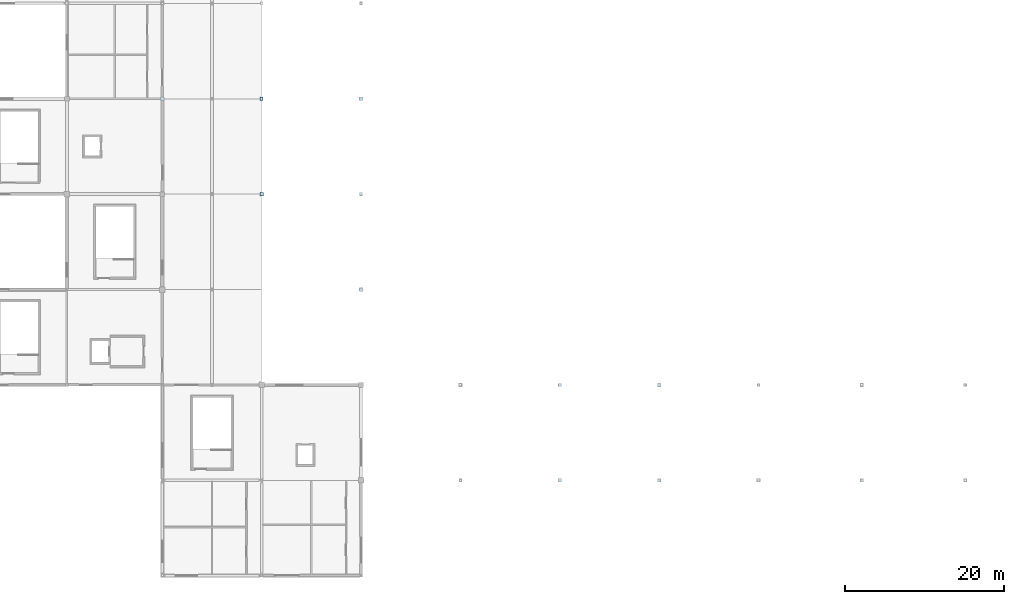
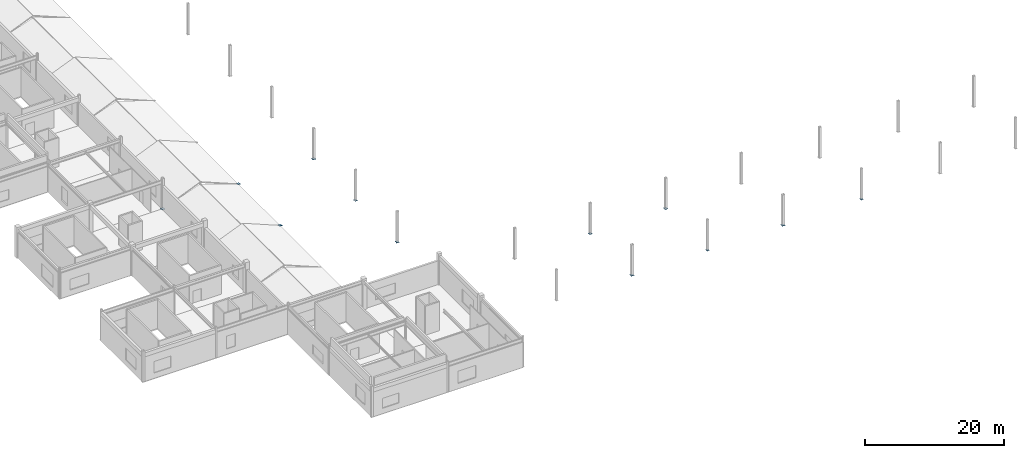
# One storey, part 52 of 76: 12 plates.
"""IFC4 building model written with IfcOpenShell, lengths in metres."""

from ifc_helpers import new_model, si_unit, direction, frame, origin, origin_2d, place, context, subcontext, project, spatial, rectangle, extrude, material, layer, layer_set, type_object, element, save


model = new_model("IFC4")

# Units and contexts
model_context = context("Model", 3, precision=1e-05, world=origin(), true_north=direction((0.0, 1.0)))
body_context = subcontext(model_context, "Body", "Model", "MODEL_VIEW")
ifc_project = project(units=[si_unit("LENGTHUNIT", "METRE"), si_unit("AREAUNIT", "SQUARE_METRE"), si_unit("VOLUMEUNIT", "CUBIC_METRE"), si_unit("PLANEANGLEUNIT", "RADIAN"), si_unit("MASSUNIT", "GRAM", prefix="KILO")], contexts=[model_context])

# Site, building, storey
site_placement = place(None, origin())
site = spatial("IfcSite", under=ifc_project, at=site_placement, CompositionType="ELEMENT")
building_placement = place(site_placement, origin())
building = spatial("IfcBuilding", under=site, at=building_placement, Name="Kazenohara Klinker Stadium", CompositionType="ELEMENT")
storey_placement = place(building_placement, frame((0.0, 0.0, 25.800048828125)))
storey = spatial("IfcBuildingStorey", under=building, at=storey_placement, Name="L05", CompositionType="ELEMENT", Elevation=25.800048828125)

# Plates
ifc_material = material(Name="Steel S355", Category="steel")
ifc_layer_1 = layer(ifc_material, 0.02001953125)
ifc_layer_set_1 = layer_set([ifc_layer_1], Name="Steel S355")
plate_type_1 = type_object("IfcPlateType", Name="PLT-GP01", PredefinedType="USERDEFINED", material=ifc_layer_set_1)
for number, where, z_axis, x_axis, name in (
    (1, (36.5, 72.0, -0.010009765625), (0.0, 0.0, 1.0), (1.0, 0.0, 0.0), "Hollow column end-cap plate GP01 L05 4/G"),
    (2, (74.0, 36.0, -0.010009765625), (0.0, 0.0, 1.0), (1.0, 0.0, 0.0), "Hollow column end-cap plate GP01 L05 7/D"),
):
    element("IfcPlate", number, at=place(storey_placement, frame(where, z_axis=z_axis, x_axis=x_axis)), inside=storey, type_object=plate_type_1, Name=name, ObjectType="GUSSET PLATE", PredefinedType="USERDEFINED", context=body_context, shape_type="SweptSolid", body=[
        extrude(rectangle(XDim=0.389892578125, YDim=0.389892578125, at=origin_2d()), origin(), (0.0, 0.0, 1.0), 0.02001953125),
    ])
ifc_layer_2 = layer(ifc_material, 0.02197265625)
ifc_layer_set_2 = layer_set([ifc_layer_2], Name="Steel S355")
plate_type_2 = type_object("IfcPlateType", Name="PLT-GP02", PredefinedType="USERDEFINED", material=ifc_layer_set_2)
for number, where, z_axis, x_axis, name in (
    (3, (49.0, 48.0, -0.010986328125), (0.0, 0.0, 1.0), (1.0, 0.0, 0.0), "Hollow column end-cap plate GP02 L05 5/E"),
    (4, (74.0, 24.0, -0.010986328125), (0.0, 0.0, 1.0), (1.0, 0.0, 0.0), "Hollow column end-cap plate GP02 L05 7/C"),
):
    element("IfcPlate", number, at=place(storey_placement, frame(where, z_axis=z_axis, x_axis=x_axis)), inside=storey, type_object=plate_type_2, Name=name, ObjectType="GUSSET PLATE", PredefinedType="USERDEFINED", context=body_context, shape_type="SweptSolid", body=[
        extrude(rectangle(XDim=0.43994140625, YDim=0.43994140625, at=origin_2d()), origin(), (0.0, 0.0, 1.0), 0.02197265625),
    ])
plate_1_placement = place(storey_placement, frame((86.5, 24.0, -0.010986328125), z_axis=(0.0, 0.0, 1.0), x_axis=(1.0, 0.0, 0.0)))
element("IfcPlate", 5, at=plate_1_placement, inside=storey, type_object=plate_type_2, Name="Hollow column end-cap plate GP02 L05 8/C", ObjectType="GUSSET PLATE", PredefinedType="USERDEFINED", context=body_context, shape_type="SweptSolid", body=[
    extrude(rectangle(XDim=0.389892578125, YDim=0.389892578125, at=origin_2d()), origin(), (0.0, 0.0, 1.0), 0.02197265625),
])
for number, where, z_axis, x_axis, name in (
    (6, (86.5, 36.0, -0.010986328125), (0.0, 0.0, 1.0), (1.0, 0.0, 0.0), "Hollow column end-cap plate GP02 L05 8/D"),
    (7, (99.0, 24.0, -0.010986328125), (0.0, 0.0, 1.0), (1.0, 0.0, 0.0), "Hollow column end-cap plate GP02 L05 9/C"),
):
    element("IfcPlate", number, at=place(storey_placement, frame(where, z_axis=z_axis, x_axis=x_axis)), inside=storey, type_object=plate_type_2, Name=name, ObjectType="GUSSET PLATE", PredefinedType="USERDEFINED", context=body_context, shape_type="SweptSolid", body=[
        extrude(rectangle(XDim=0.43994140625, YDim=0.43994140625, at=origin_2d()), origin(), (0.0, 0.0, 1.0), 0.02197265625),
    ])
plate_2_placement = place(storey_placement, frame((112.0, 24.0, -0.010986328125), z_axis=(0.0, 0.0, 1.0), x_axis=(1.0, 0.0, 0.0)))
element("IfcPlate", 8, at=plate_2_placement, inside=storey, type_object=plate_type_2, Name="Hollow column end-cap plate GP02 L05 10/C", ObjectType="GUSSET PLATE", PredefinedType="USERDEFINED", context=body_context, shape_type="SweptSolid", body=[
    extrude(rectangle(XDim=0.389892578125, YDim=0.389892578125, at=origin_2d()), origin(), (0.0, 0.0, 1.0), 0.02197265625),
])
ifc_layer_3 = layer(ifc_material, 0.02392578125)
ifc_layer_set_3 = layer_set([ifc_layer_3], Name="Steel S355")
plate_type_3 = type_object("IfcPlateType", Name="PLT-GP03", PredefinedType="USERDEFINED", material=ifc_layer_set_3)
plate_3_placement = place(storey_placement, frame((36.5, 60.0, -0.011962890625), z_axis=(0.0, 0.0, 1.0), x_axis=(1.0, 0.0, 0.0)))
element("IfcPlate", 9, at=plate_3_placement, inside=storey, type_object=plate_type_3, Name="Hollow column end-cap plate GP03 L05 4/F", ObjectType="GUSSET PLATE", PredefinedType="USERDEFINED", context=body_context, shape_type="SweptSolid", body=[
    extrude(rectangle(XDim=0.43994140625, YDim=0.43994140625, at=origin_2d()), origin(), (0.0, 0.0, 1.0), 0.02392578125),
])
plate_4_placement = place(storey_placement, frame((49.0, 60.0, -0.011962890625), z_axis=(0.0, 0.0, 1.0), x_axis=(1.0, 0.0, 0.0)))
element("IfcPlate", 10, at=plate_4_placement, inside=storey, type_object=plate_type_3, Name="Hollow column end-cap plate GP03 L05 5/F", ObjectType="GUSSET PLATE", PredefinedType="USERDEFINED", context=body_context, shape_type="SweptSolid", body=[
    extrude(rectangle(XDim=0.389892578125, YDim=0.389892578125, at=origin_2d()), origin(), (0.0, 0.0, 1.0), 0.02392578125),
])
ifc_layer_4 = layer(ifc_material, 0.02490234375)
ifc_layer_set_4 = layer_set([ifc_layer_4], Name="Steel S355")
plate_type_4 = type_object("IfcPlateType", Name="PLT-GP04", PredefinedType="USERDEFINED", material=ifc_layer_set_4)
for number, where, z_axis, x_axis, name in (
    (11, (24.0, 72.0, -0.012451171875), (0.0, 0.0, 1.0), (1.0, 0.0, 0.0), "Hollow column end-cap plate GP04 L05 3/G"),
    (12, (49.0, 72.0, -0.012451171875), (0.0, 0.0, 1.0), (1.0, 0.0, 0.0), "Hollow column end-cap plate GP04 L05 5/G"),
):
    element("IfcPlate", number, at=place(storey_placement, frame(where, z_axis=z_axis, x_axis=x_axis)), inside=storey, type_object=plate_type_4, Name=name, ObjectType="GUSSET PLATE", PredefinedType="USERDEFINED", context=body_context, shape_type="SweptSolid", body=[
        extrude(rectangle(XDim=0.43994140625, YDim=0.43994140625, at=origin_2d()), origin(), (0.0, 0.0, 1.0), 0.02490234375),
    ])

save(model, "model.ifc")
